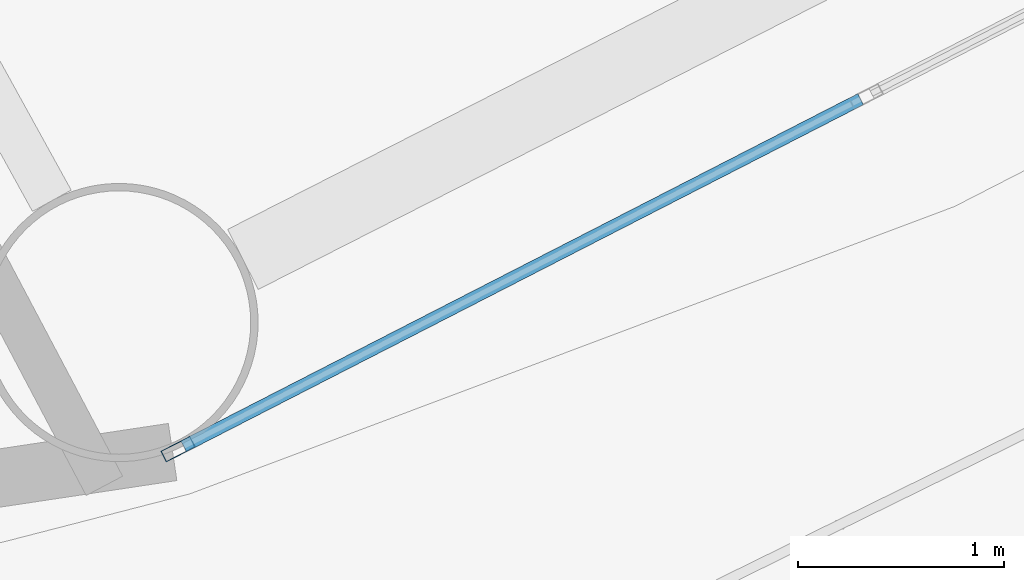
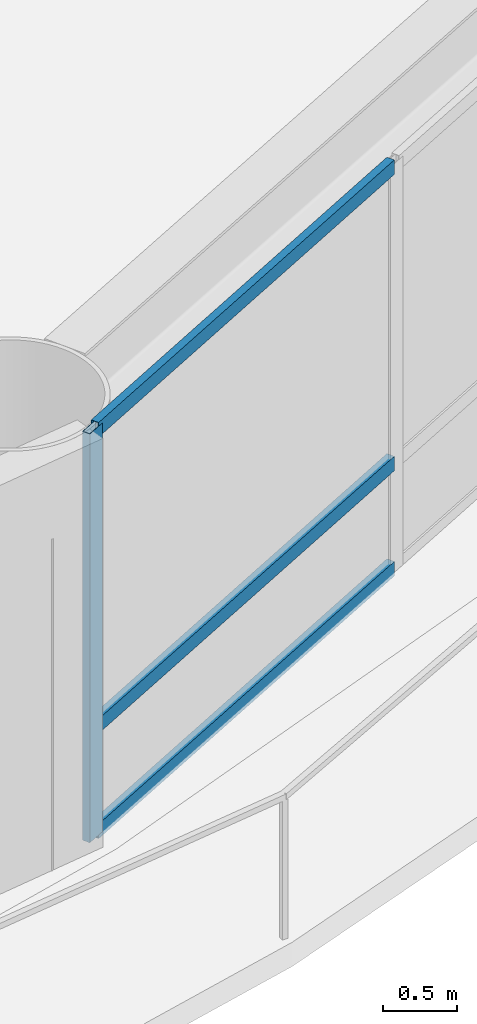
# One storey, part 6 of 26: 4 members, 1 element without a shape of its own.
"""IFC4 building model written with IfcOpenShell, lengths in metres."""

from ifc_helpers import new_model, si_unit, direction, frame, origin, origin_2d, place, context, subcontext, project, spatial, hollow_rectangle, extrude, material, layer, layer_set, material_profile, profile_set, type_object, element, aggregate, save


model = new_model("IFC4")

# Units and contexts
model_context = context("Model", 3, precision=1e-05, world=origin(), true_north=direction((0.0, 1.0)))
body_context = subcontext(model_context, "Body", "Model", "MODEL_VIEW")
ifc_project = project(units=[si_unit("LENGTHUNIT", "METRE"), si_unit("AREAUNIT", "SQUARE_METRE"), si_unit("VOLUMEUNIT", "CUBIC_METRE"), si_unit("PLANEANGLEUNIT", "RADIAN"), si_unit("MASSUNIT", "GRAM", prefix="KILO")], contexts=[model_context])

# Site, building, storey
site_placement = place(None, origin())
site = spatial("IfcSite", under=ifc_project, at=site_placement, CompositionType="ELEMENT")
building_placement = place(site_placement, origin())
building = spatial("IfcBuilding", under=site, at=building_placement, Name="Sarneth Arch Tower", CompositionType="ELEMENT")
storey_placement = place(building_placement, frame((0.0, 0.0, 39.0)))
storey = spatial("IfcBuildingStorey", under=building, at=storey_placement, Name="L08", CompositionType="ELEMENT", Elevation=39.0)

# Curtain wall, members
ifc_material_1 = material(Name="Anodised aluminium Type AA25 and solar-control low-e laminated IGU", Category="aluminium")
ifc_layer = layer(ifc_material_1, 0.159912109375)
ifc_layer_set = layer_set([ifc_layer], Name="Anodised aluminium Type AA25 and solar-control low-e laminated IGU")
curtain_wall_type = type_object("IfcCurtainWallType", Name="CW-HOTEL-LOW", PredefinedType="NOTDEFINED", material=ifc_layer_set)
curtain_wall_placement = place(storey_placement, origin())
curtain_wall = element("IfcCurtainWall", 1, at=curtain_wall_placement, inside=storey, type_object=curtain_wall_type, Name="L08 Unitised curtain wall facet 14", PredefinedType="NOTDEFINED")
ifc_material_2 = material(Name="Anodised Aluminium 6063-T6", Category="aluminium")
ifc_material_profile_1 = material_profile(ifc_material_2, hollow_rectangle(XDim=0.06005859375, YDim=0.159912109375, WallThickness=0.00390625, at=origin_2d()), Name="AL-MULL-160x60x4")
ifc_profile_set_1 = profile_set([ifc_material_profile_1], Name="Anodised Aluminium 6063-T6")
member_type_1 = type_object("IfcMemberType", Name="CW-MULLION", PredefinedType="MULLION", material=ifc_profile_set_1)
member_1_placement = place(storey_placement, frame((60.1044921875, 19.951416015625, 0.0), z_axis=(0.0, 0.0, 1.0), x_axis=(-0.456245197127, 0.889854100456, 0.0)))
member_1 = element("IfcMember", 2, at=member_1_placement, type_object=member_type_1, Name="CW-SYS-3 mullion 1", PredefinedType="MULLION", context=body_context, shape_type="SweptSolid", body=[
    extrude(hollow_rectangle(XDim=0.06005859375, YDim=0.159912109375, WallThickness=0.00390625, at=origin_2d()), origin(), (0.0, 0.0, 1.0), 3.3798828125),
])
ifc_material_3 = material(Name="Anodised Aluminium 6063-T6", Category="aluminium")
ifc_material_profile_2 = material_profile(ifc_material_3, hollow_rectangle(XDim=0.06005859375, YDim=0.1201171875, WallThickness=0.00390625, at=origin_2d()), Name="AL-TRAN-120x60x4")
ifc_profile_set_2 = profile_set([ifc_material_profile_2], Name="Anodised Aluminium 6063-T6")
member_type_2 = type_object("IfcMemberType", Name="CW-TRANSOM", PredefinedType="USERDEFINED", material=ifc_profile_set_2)
member_2_placement = place(storey_placement, frame((60.13134765625, 19.965087890625, 0.030029296875), z_axis=(0.889831232102, 0.456289796485, 0.0), x_axis=(-0.456289796485, 0.889831232102, 0.0)))
member_2 = element("IfcMember", 3, at=member_2_placement, type_object=member_type_2, Name="CW-SYS-3 transom 1.1", ObjectType="TRANSOM", PredefinedType="USERDEFINED", context=body_context, shape_type="SweptSolid", body=[
    extrude(hollow_rectangle(XDim=0.06005859375, YDim=0.1201171875, WallThickness=0.00390625, at=origin_2d()), origin(), (0.0, 0.0, 1.0), 3.69189453125),
])
member_3_placement = place(storey_placement, frame((60.13134765625, 19.965087890625, 0.89990234375), z_axis=(0.889831232102, 0.456289796485, 0.0), x_axis=(-0.456289796485, 0.889831232102, 0.0)))
member_3 = element("IfcMember", 4, at=member_3_placement, type_object=member_type_2, Name="CW-SYS-3 transom 1.2", ObjectType="TRANSOM", PredefinedType="USERDEFINED", context=body_context, shape_type="SweptSolid", body=[
    extrude(hollow_rectangle(XDim=0.06005859375, YDim=0.1201171875, WallThickness=0.00390625, at=origin_2d()), origin(), (0.0, 0.0, 1.0), 3.69189453125),
])
member_4_placement = place(storey_placement, frame((60.13134765625, 19.965087890625, 3.35009765625), z_axis=(0.889831232102, 0.456289796485, 0.0), x_axis=(-0.456289796485, 0.889831232102, 0.0)))
member_4 = element("IfcMember", 5, at=member_4_placement, type_object=member_type_2, Name="CW-SYS-3 transom 1.3", ObjectType="TRANSOM", PredefinedType="USERDEFINED", context=body_context, shape_type="SweptSolid", body=[
    extrude(hollow_rectangle(XDim=0.06005859375, YDim=0.1201171875, WallThickness=0.00390625, at=origin_2d()), origin(), (0.0, 0.0, 1.0), 3.69189453125),
])
aggregate(curtain_wall, [member_1, member_2, member_3, member_4])

save(model, "model.ifc")
